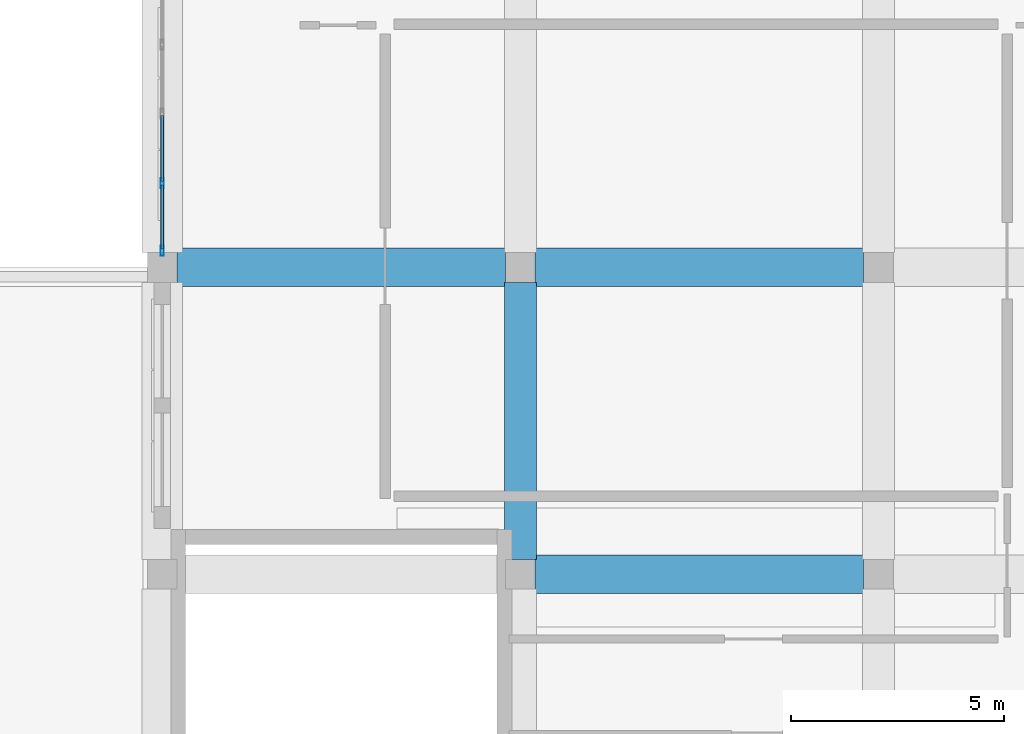
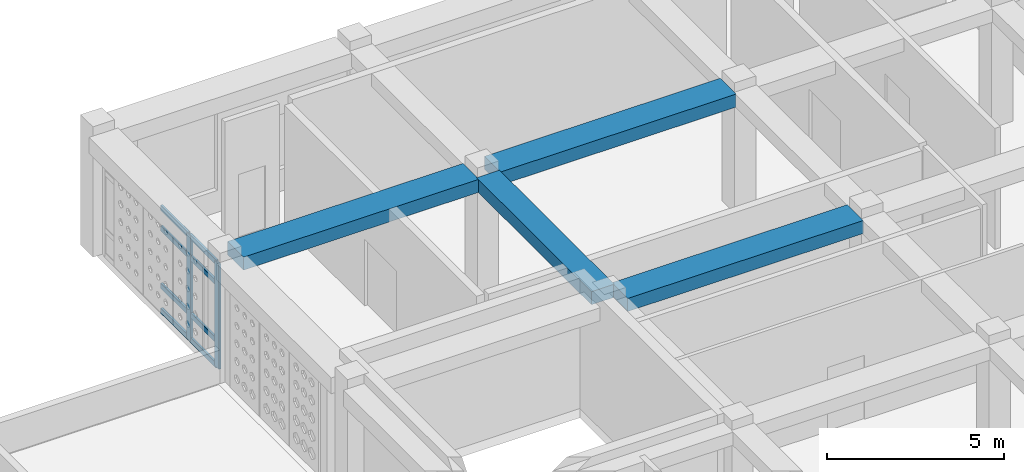
# One storey, part 22 of 79: 10 members, 4 beams, 1 element without a shape of its own.
"""IFC4 building model written with IfcOpenShell, lengths in metres."""

from ifc_helpers import new_model, si_unit, derived_unit, direction, frame, origin, origin_2d, place, context, subcontext, project, spatial, rectangle, hollow_rectangle, extrude, material, material_profile, profile_set, type_object, element, aggregate, save


model = new_model("IFC4")

# Units and contexts
model_context = context("Model", 3, precision=1e-05, world=origin(), true_north=direction((0.0, 1.0)))
body_context = subcontext(model_context, "Body", "Model", "MODEL_VIEW")
ifc_project = project(units=[si_unit("LENGTHUNIT", "METRE"), si_unit("AREAUNIT", "SQUARE_METRE"), si_unit("VOLUMEUNIT", "CUBIC_METRE"), si_unit("PLANEANGLEUNIT", "RADIAN"), si_unit("MASSUNIT", "GRAM", prefix="KILO"), derived_unit("THERMALTRANSMITTANCEUNIT", [(si_unit("POWERUNIT", "WATT"), 1), (si_unit("LENGTHUNIT", "METRE"), -2), (si_unit("THERMODYNAMICTEMPERATUREUNIT", "KELVIN"), -1)])], contexts=[model_context])

# Site, building, storey
site_placement = place(None, origin())
site = spatial("IfcSite", under=ifc_project, at=site_placement, CompositionType="ELEMENT")
building_placement = place(site_placement, origin())
building = spatial("IfcBuilding", under=site, at=building_placement, Name="Veybourne Emporium", CompositionType="ELEMENT")
storey_placement = place(building_placement, frame((0.0, 0.0, 18.89990234375)))
storey = spatial("IfcBuildingStorey", under=building, at=storey_placement, Name="L04", CompositionType="ELEMENT", Elevation=18.89990234375)

# Curtain wall, members
ifc_material_1 = material(Name="Patinated Architectural Bronze", Category="bronze")
curtain_wall_type = type_object("IfcCurtainWallType", Name="CWSystem_CWS-27", PredefinedType="NOTDEFINED", material=ifc_material_1)
curtain_wall_placement = place(storey_placement, origin())
curtain_wall = element("IfcCurtainWall", 1, at=curtain_wall_placement, inside=storey, type_object=curtain_wall_type, Name="L04 bronze glazed curtain wall CWS-27 (018)", PredefinedType="NOTDEFINED")
ifc_material_profile_1 = material_profile(ifc_material_1, hollow_rectangle(XDim=0.077880859375, YDim=0.235107421875, WallThickness=0.0048828125, InnerFilletRadius=0.007568359375, OuterFilletRadius=0.012451171875, at=origin_2d()), Name="CWM 78x235x5")
ifc_profile_set_1 = profile_set([ifc_material_profile_1], Name="Patinated Architectural Bronze")
member_type_1 = type_object("IfcMemberType", Name="CWMullion_CW-M3", PredefinedType="MULLION", material=ifc_profile_set_1)
member_1_placement = place(storey_placement, frame((16.800048828125, 79.589111328125, 0.0), z_axis=(0.0, 0.0, 1.0), x_axis=(-1.0, 0.0, 0.0)))
member_1 = element("IfcMember", 2, at=member_1_placement, type_object=member_type_1, Name="CWS-27 mullion 1", PredefinedType="MULLION", context=body_context, shape_type="SweptSolid", body=[
    extrude(hollow_rectangle(XDim=0.077880859375, YDim=0.235107421875, WallThickness=0.0048828125, InnerFilletRadius=0.007568359375, OuterFilletRadius=0.012451171875, at=origin_2d()), origin(), (0.0, 0.0, 1.0), 3.630126953125),
])
member_2_placement = place(storey_placement, frame((16.800048828125, 81.175048828125, 0.0), z_axis=(0.0, 0.0, 1.0), x_axis=(-1.0, 0.0, 0.0)))
member_2 = element("IfcMember", 3, at=member_2_placement, type_object=member_type_1, Name="CWS-27 mullion 2", PredefinedType="MULLION", context=body_context, shape_type="SweptSolid", body=[
    extrude(hollow_rectangle(XDim=0.077880859375, YDim=0.235107421875, WallThickness=0.0048828125, InnerFilletRadius=0.007568359375, OuterFilletRadius=0.012451171875, at=origin_2d()), origin(), (0.0, 0.0, 1.0), 3.630126953125),
])
ifc_material_profile_2 = material_profile(ifc_material_1, hollow_rectangle(XDim=0.077880859375, YDim=0.18505859375, WallThickness=0.0048828125, InnerFilletRadius=0.007568359375, OuterFilletRadius=0.012451171875, at=origin_2d()), Name="CWT 78x185x5")
ifc_profile_set_2 = profile_set([ifc_material_profile_2], Name="Patinated Architectural Bronze")
member_type_2 = type_object("IfcMemberType", Name="CWTransom_CW-T3", PredefinedType="NOTDEFINED", material=ifc_profile_set_2)
member_3_placement = place(storey_placement, frame((16.800048828125, 79.6279296875, 0.0390625), z_axis=(0.0, 1.0, 0.0), x_axis=(-1.0, 0.0, 0.0)))
member_3 = element("IfcMember", 4, at=member_3_placement, type_object=member_type_2, Name="CWS-27 transom 1.1", ObjectType="TRANSOM", PredefinedType="USERDEFINED", context=body_context, shape_type="SweptSolid", body=[
    extrude(hollow_rectangle(XDim=0.077880859375, YDim=0.18505859375, WallThickness=0.0048828125, InnerFilletRadius=0.007568359375, OuterFilletRadius=0.012451171875, at=origin_2d()), origin(), (0.0, 0.0, 1.0), 1.508056640625),
])
member_4_placement = place(storey_placement, frame((16.800048828125, 79.6279296875, 0.900146484375), z_axis=(0.0, 1.0, 0.0), x_axis=(-1.0, 0.0, 0.0)))
member_4 = element("IfcMember", 5, at=member_4_placement, type_object=member_type_2, Name="CWS-27 transom 1.2", ObjectType="TRANSOM", PredefinedType="USERDEFINED", context=body_context, shape_type="SweptSolid", body=[
    extrude(hollow_rectangle(XDim=0.077880859375, YDim=0.18505859375, WallThickness=0.0048828125, InnerFilletRadius=0.007568359375, OuterFilletRadius=0.012451171875, at=origin_2d()), origin(), (0.0, 0.0, 1.0), 1.508056640625),
])
member_5_placement = place(storey_placement, frame((16.800048828125, 79.6279296875, 2.880126953125), z_axis=(0.0, 1.0, 0.0), x_axis=(-1.0, 0.0, 0.0)))
member_5 = element("IfcMember", 6, at=member_5_placement, type_object=member_type_2, Name="CWS-27 transom 1.3", ObjectType="TRANSOM", PredefinedType="USERDEFINED", context=body_context, shape_type="SweptSolid", body=[
    extrude(hollow_rectangle(XDim=0.077880859375, YDim=0.18505859375, WallThickness=0.0048828125, InnerFilletRadius=0.007568359375, OuterFilletRadius=0.012451171875, at=origin_2d()), origin(), (0.0, 0.0, 1.0), 1.508056640625),
])
member_6_placement = place(storey_placement, frame((16.800048828125, 79.6279296875, 3.591064453125), z_axis=(0.0, 1.0, 0.0), x_axis=(-1.0, 0.0, 0.0)))
member_6 = element("IfcMember", 7, at=member_6_placement, type_object=member_type_2, Name="CWS-27 transom 1.4", ObjectType="TRANSOM", PredefinedType="USERDEFINED", context=body_context, shape_type="SweptSolid", body=[
    extrude(hollow_rectangle(XDim=0.077880859375, YDim=0.18505859375, WallThickness=0.0048828125, InnerFilletRadius=0.007568359375, OuterFilletRadius=0.012451171875, at=origin_2d()), origin(), (0.0, 0.0, 1.0), 1.508056640625),
])
member_7_placement = place(storey_placement, frame((16.800048828125, 81.214111328125, 0.0390625), z_axis=(0.0, 1.0, 0.0), x_axis=(-1.0, 0.0, 0.0)))
member_7 = element("IfcMember", 8, at=member_7_placement, type_object=member_type_2, Name="CWS-27 transom 2.1", ObjectType="TRANSOM", PredefinedType="USERDEFINED", context=body_context, shape_type="SweptSolid", body=[
    extrude(hollow_rectangle(XDim=0.077880859375, YDim=0.18505859375, WallThickness=0.0048828125, InnerFilletRadius=0.007568359375, OuterFilletRadius=0.012451171875, at=origin_2d()), origin(), (0.0, 0.0, 1.0), 1.546875),
])
member_8_placement = place(storey_placement, frame((16.800048828125, 81.214111328125, 0.900146484375), z_axis=(0.0, 1.0, 0.0), x_axis=(-1.0, 0.0, 0.0)))
member_8 = element("IfcMember", 9, at=member_8_placement, type_object=member_type_2, Name="CWS-27 transom 2.2", ObjectType="TRANSOM", PredefinedType="USERDEFINED", context=body_context, shape_type="SweptSolid", body=[
    extrude(hollow_rectangle(XDim=0.077880859375, YDim=0.18505859375, WallThickness=0.0048828125, InnerFilletRadius=0.007568359375, OuterFilletRadius=0.012451171875, at=origin_2d()), origin(), (0.0, 0.0, 1.0), 1.546875),
])
member_9_placement = place(storey_placement, frame((16.800048828125, 81.214111328125, 2.880126953125), z_axis=(0.0, 1.0, 0.0), x_axis=(-1.0, 0.0, 0.0)))
member_9 = element("IfcMember", 10, at=member_9_placement, type_object=member_type_2, Name="CWS-27 transom 2.3", ObjectType="TRANSOM", PredefinedType="USERDEFINED", context=body_context, shape_type="SweptSolid", body=[
    extrude(hollow_rectangle(XDim=0.077880859375, YDim=0.18505859375, WallThickness=0.0048828125, InnerFilletRadius=0.007568359375, OuterFilletRadius=0.012451171875, at=origin_2d()), origin(), (0.0, 0.0, 1.0), 1.546875),
])
member_10_placement = place(storey_placement, frame((16.800048828125, 81.214111328125, 3.591064453125), z_axis=(0.0, 1.0, 0.0), x_axis=(-1.0, 0.0, 0.0)))
member_10 = element("IfcMember", 11, at=member_10_placement, type_object=member_type_2, Name="CWS-27 transom 2.4", ObjectType="TRANSOM", PredefinedType="USERDEFINED", context=body_context, shape_type="SweptSolid", body=[
    extrude(hollow_rectangle(XDim=0.077880859375, YDim=0.18505859375, WallThickness=0.0048828125, InnerFilletRadius=0.007568359375, OuterFilletRadius=0.012451171875, at=origin_2d()), origin(), (0.0, 0.0, 1.0), 1.546875),
])
aggregate(curtain_wall, [member_1, member_2, member_3, member_4, member_5, member_6, member_7, member_8, member_9, member_10])

# Beams
ifc_material_2 = material(Name="Concrete C32/40", Category="concrete")
ifc_material_profile_3 = material_profile(ifc_material_2, rectangle(XDim=0.89990234375, YDim=0.449951171875, at=origin_2d()), Name="RC 900x450")
ifc_profile_set_3 = profile_set([ifc_material_profile_3], Name="Concrete C32/40")
beam_type_1 = type_object("IfcBeamType", Name="RCBeam_BB-03", PredefinedType="BEAM", material=ifc_profile_set_3)
beam_1_placement = place(storey_placement, frame((17.14990234375, 79.199951171875, 3.955078125), z_axis=(1.0, 0.0, 0.0), x_axis=(0.0, 1.0, 0.0)))
element("IfcBeam", 12, at=beam_1_placement, inside=storey, type_object=beam_type_1, Name="L04 X-grid beam BB-03 (2,11)", PredefinedType="BEAM", context=body_context, shape_type="SweptSolid", body=[
    extrude(rectangle(XDim=0.89990234375, YDim=0.449951171875, at=origin_2d()), origin(), (0.0, 0.0, 1.0), 7.7001953125),
])
for number, where, z_axis, x_axis, name in (
    (13, (25.550048828125, 72.0, 3.955078125), (1.0, 0.0, 0.0), (0.0, 1.0, 0.0), "L04 X-grid beam BB-03 (3,10)"),
    (14, (25.550048828125, 79.199951171875, 3.955078125), (1.0, 0.0, 0.0), (0.0, 1.0, 0.0), "L04 X-grid beam BB-03 (3,11)"),
):
    element("IfcBeam", number, at=place(storey_placement, frame(where, z_axis=z_axis, x_axis=x_axis)), inside=storey, type_object=beam_type_1, Name=name, PredefinedType="BEAM", context=body_context, shape_type="SweptSolid", body=[
        extrude(rectangle(XDim=0.89990234375, YDim=0.449951171875, at=origin_2d()), origin(), (0.0, 0.0, 1.0), 7.699951171875),
    ])
ifc_material_profile_4 = material_profile(ifc_material_2, rectangle(XDim=0.75, YDim=0.449951171875, at=origin_2d()), Name="RC 750x450")
ifc_profile_set_4 = profile_set([ifc_material_profile_4], Name="Concrete C32/40")
beam_type_2 = type_object("IfcBeamType", Name="RCBeam_BB-04", PredefinedType="BEAM", material=ifc_profile_set_4)
beam_2_placement = place(storey_placement, frame((25.199951171875, 72.35009765625, 3.955078125), z_axis=(0.0, 1.0, 0.0), x_axis=(-1.0, 0.0, 0.0)))
element("IfcBeam", 15, at=beam_2_placement, inside=storey, type_object=beam_type_2, Name="L04 Y-grid beam BB-04 (3,10)", PredefinedType="BEAM", context=body_context, shape_type="SweptSolid", body=[
    extrude(rectangle(XDim=0.75, YDim=0.449951171875, at=origin_2d()), origin(), (0.0, 0.0, 1.0), 6.5),
])

save(model, "model.ifc")
